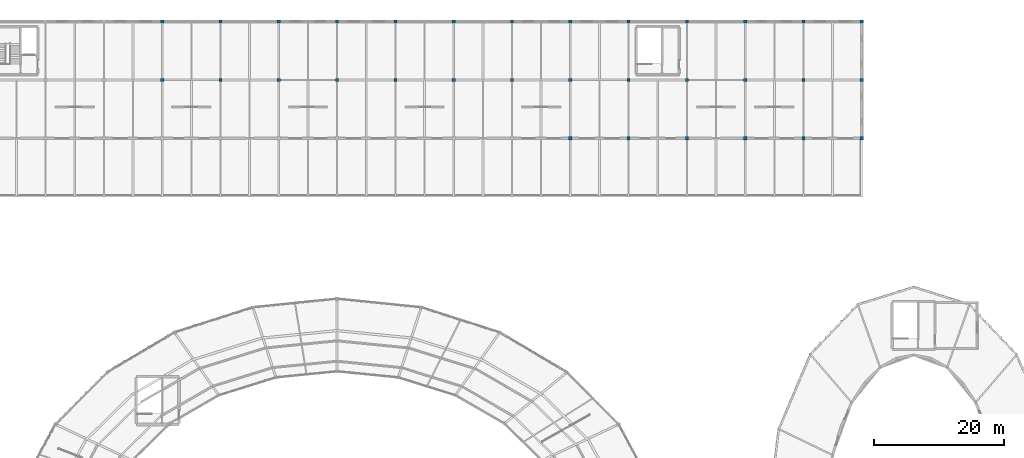
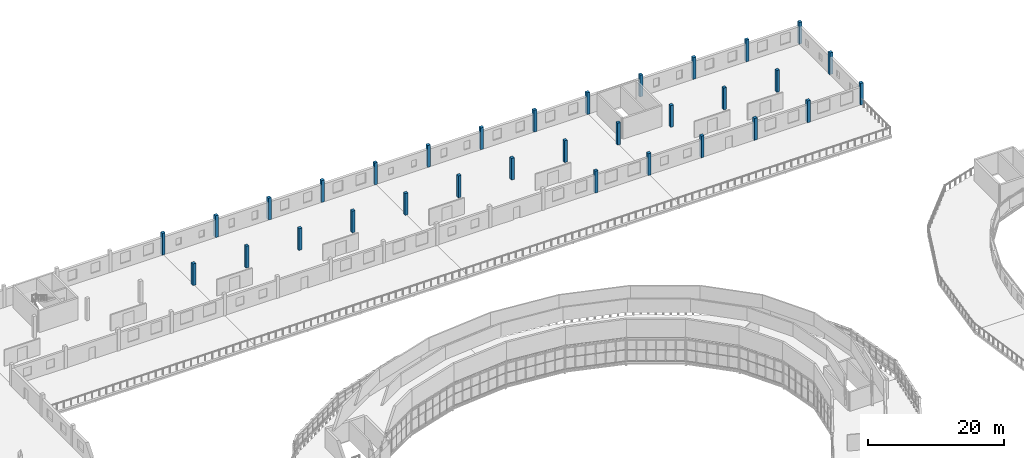
# One storey, part 27 of 123: 32 columns.
"""IFC4 building model written with IfcOpenShell, lengths in metres."""

import ifcopenshell
import ifcopenshell.guid

model = None  # the IFC model being written
_history = None  # IfcOwnerHistory: only IFC2X3 demands one
_inside = {}  # id of a spatial element -> (the spatial element, [elements in it])
_under = {}  # id of a project, library or spatial element -> (it, [spatial elements below it])
_declared = {}  # id of a project -> (the project, [libraries it declares])
_typed = {}  # id of a type object -> (the type object, [elements of that type])
_made_of = {}  # id of a material, layer set ... -> (it, [elements and type objects made of it])


def new_model(schema):
    """Start an empty IFC model of exactly this schema.

    Asked for "IFC4X3", IfcOpenShell would pick the latest addendum, in which some entities
    have other attributes; the version numbers below select the first issue.
    IFC2X3 requires an IfcOwnerHistory on every rooted entity: one is made here for all.
    """
    global model, _history
    if schema == "IFC4X3":
        model = ifcopenshell.file(schema_version=(4, 3, 0, 0))
    else:
        model = ifcopenshell.file(schema=schema)
    _inside.clear()
    _under.clear()
    _declared.clear()
    _typed.clear()
    _made_of.clear()
    _history = None
    if model.schema == "IFC2X3":
        org = make("IfcOrganization", Name="unknown")
        user = make(
            "IfcPersonAndOrganization",
            ThePerson=make("IfcPerson", FamilyName="unknown"),
            TheOrganization=org,
        )
        app = make(
            "IfcApplication",
            ApplicationDeveloper=org,
            Version="unknown",
            ApplicationFullName="unknown",
            ApplicationIdentifier="unknown",
        )
        _history = make(
            "IfcOwnerHistory",
            OwningUser=user,
            OwningApplication=app,
            ChangeAction="ADDED",
            CreationDate=0,
        )
    return model


def make(cls, **values):
    """One entity of the class cls with the attributes given. An attribute that is None is left unset."""
    return model.create_entity(
        cls, **{name: value for name, value in values.items() if value is not None}
    )


def rooted(cls, **values):
    """An entity with a GlobalId (a new one), such as an element, a storey or a relation."""
    return make(cls, GlobalId=ifcopenshell.guid.new(), OwnerHistory=_history, **values)


def si_unit(unit_type, name, prefix=None):
    """IfcSIUnit, for example si_unit("LENGTHUNIT", "METRE", prefix="MILLI")."""
    return make("IfcSIUnit", UnitType=unit_type, Prefix=prefix, Name=name)


def assignment(units):
    """IfcUnitAssignment: the units of a project."""
    return None if units is None else make("IfcUnitAssignment", Units=units)


def point(xyz):
    """IfcCartesianPoint."""
    return None if xyz is None else make("IfcCartesianPoint", Coordinates=xyz)


def direction(xyz):
    """IfcDirection."""
    return None if xyz is None else make("IfcDirection", DirectionRatios=xyz)


def frame(location, z_axis=None, x_axis=None):
    """IfcAxis2Placement3D, a coordinate frame: its origin and axes. An axis left out is left unset."""
    return make(
        "IfcAxis2Placement3D",
        Location=point(location),
        Axis=direction(z_axis),
        RefDirection=direction(x_axis),
    )


def frame_2d(location, x_axis=None):
    """IfcAxis2Placement2D, a coordinate frame in the plane: its origin and x axis."""
    return make(
        "IfcAxis2Placement2D", Location=point(location), RefDirection=direction(x_axis)
    )


def origin():
    """The frame at (0, 0, 0) with its axes left unset."""
    return frame((0.0, 0.0, 0.0))


def origin_2d():
    """The frame at (0, 0) in the plane with its x axis left unset."""
    return frame_2d((0.0, 0.0))


def place(relative_to, where):
    """IfcLocalPlacement: puts the frame where relative to a parent placement (None: the world)."""
    return make(
        "IfcLocalPlacement", PlacementRelTo=relative_to, RelativePlacement=where
    )


def context(
    kind, dimensions, precision=None, world=None, true_north=None, identifier=None
):
    """IfcGeometricRepresentationContext, for example the 3D "Model" context."""
    return make(
        "IfcGeometricRepresentationContext",
        ContextIdentifier=identifier,
        ContextType=kind,
        CoordinateSpaceDimension=dimensions,
        Precision=precision,
        WorldCoordinateSystem=world,
        TrueNorth=true_north,
    )


def subcontext(parent, identifier, kind, view, scale=None):
    """IfcGeometricRepresentationSubContext, for example "Body" below "Model"."""
    return make(
        "IfcGeometricRepresentationSubContext",
        ContextIdentifier=identifier,
        ContextType=kind,
        ParentContext=parent,
        TargetScale=scale,
        TargetView=view,
    )


def project(units=None, contexts=None):
    """IfcProject with its units and contexts."""
    return rooted(
        "IfcProject",
        Name="project",
        RepresentationContexts=contexts,
        UnitsInContext=assignment(units),
    )


def spatial(cls, under=None, at=None, **own):
    """A site, building, storey or space (cls), placed at a placement, below another one or the project."""
    s = rooted(cls, ObjectPlacement=at, **own)
    if under is not None:
        _under.setdefault(under.id(), (under, []))[1].append(s)
    return s


def profile(cls, at=None, kind="AREA", **sizes):
    """A parametric profile (cls). Its sizes go by their IFC names, for example OverallWidth=200.0."""
    return make(cls, ProfileType=kind, Position=at, **sizes)


def rectangle(**sizes):
    """IfcRectangleProfileDef."""
    return profile("IfcRectangleProfileDef", **sizes)


def extrude(swept, where, along, depth):
    """IfcExtrudedAreaSolid: the profile swept, set in the frame where, extruded along a direction by depth."""
    return make(
        "IfcExtrudedAreaSolid",
        SweptArea=swept,
        Position=where,
        ExtrudedDirection=direction(along),
        Depth=depth,
    )


def shape(context_of_items, identifier, shape_type, items):
    """IfcShapeRepresentation: the items that make up one representation, for example the "Body"."""
    return make(
        "IfcShapeRepresentation",
        ContextOfItems=context_of_items,
        RepresentationIdentifier=identifier,
        RepresentationType=shape_type,
        Items=items,
    )


def material(Name=None, Category=None):
    """IfcMaterial."""
    return make("IfcMaterial", Name=Name, Category=Category)


def material_profile(
    of_material, cross_section, Name=None, Category=None, Priority=None
):
    """IfcMaterialProfile: a cross section and its material."""
    return make(
        "IfcMaterialProfile",
        Name=Name,
        Material=of_material,
        Profile=cross_section,
        Priority=Priority,
        Category=Category,
    )


def profile_set(profiles, Name=None, composite=None):
    """IfcMaterialProfileSet."""
    return make(
        "IfcMaterialProfileSet",
        Name=Name,
        MaterialProfiles=profiles,
        CompositeProfile=composite,
    )


def made_of(thing, what):
    """Note that an element or type object is made of a material, layer set ...; save() writes the relation."""
    if what is not None:
        _made_of.setdefault(what.id(), (what, []))[1].append(thing)
    return thing


def type_object(cls, material=None, **own):
    """A type object (cls), such as IfcWallType, which elements share."""
    return made_of(rooted(cls, **own), material)


def element(
    cls,
    number,
    at=None,
    inside=None,
    cuts=None,
    type_object=None,
    material=None,
    context=None,
    identifier="Body",
    shape_type=None,
    held_by="IfcProductDefinitionShape",
    body=None,
    shapes=None,
    **own,
):
    """One element of the class cls, such as IfcWall. Its Tag is "e" and its number.

    at: its placement. inside: the storey or other place that contains it. cuts: it is an
    opening in that element (IfcRelVoidsElement). A single representation is given by context,
    identifier, shape_type and body (its items); several are given by shapes. held_by: the class
    of the entity that holds the representations. save() writes the other relations.
    """
    e = rooted(cls, Tag="e%d" % number, ObjectPlacement=at, **own)
    if body is not None:
        shapes = [shape(context, identifier, shape_type, body)]
    if shapes is not None:
        e.Representation = make(held_by, Representations=shapes)
    if inside is not None:
        _inside.setdefault(inside.id(), (inside, []))[1].append(e)
    if cuts is not None:
        rooted(
            "IfcRelVoidsElement", RelatingBuildingElement=cuts, RelatedOpeningElement=e
        )
    if type_object is not None:
        _typed.setdefault(type_object.id(), (type_object, []))[1].append(e)
    return made_of(e, material)


def aggregate(whole, parts):
    """IfcRelAggregates: a whole, such as a stair, and the parts it consists of."""
    return rooted("IfcRelAggregates", RelatingObject=whole, RelatedObjects=parts)


def save(model, path):
    """Write the relations noted so far, then the file.

    IfcRelAggregates (storeys below a building ...), IfcRelContainedInSpatialStructure (elements
    in a storey), IfcRelDefinesByType, IfcRelAssociatesMaterial and IfcRelDeclares: one each for
    every whole, place, type object, material and project.
    """
    for whole, parts in _under.values():
        aggregate(whole, parts)
    for where, things in _inside.values():
        rooted(
            "IfcRelContainedInSpatialStructure",
            RelatedElements=things,
            RelatingStructure=where,
        )
    for kind, things in _typed.values():
        rooted("IfcRelDefinesByType", RelatedObjects=things, RelatingType=kind)
    for what, things in _made_of.values():
        rooted("IfcRelAssociatesMaterial", RelatedObjects=things, RelatingMaterial=what)
    for by, libraries in _declared.values():
        rooted("IfcRelDeclares", RelatingContext=by, RelatedDefinitions=libraries)
    model.write(path)


model = new_model("IFC4")

# Units and contexts
model_context = context("Model", 3, precision=1e-05, world=origin(), true_north=direction((0.0, 1.0)))
body_context = subcontext(model_context, "Body", "Model", "MODEL_VIEW")
ifc_project = project(units=[si_unit("LENGTHUNIT", "METRE"), si_unit("AREAUNIT", "SQUARE_METRE"), si_unit("VOLUMEUNIT", "CUBIC_METRE"), si_unit("PLANEANGLEUNIT", "RADIAN"), si_unit("MASSUNIT", "GRAM", prefix="KILO")], contexts=[model_context])

# Site, building, storey
site_placement = place(None, origin())
site = spatial("IfcSite", under=ifc_project, at=site_placement, CompositionType="ELEMENT")
building_placement = place(site_placement, origin())
building = spatial("IfcBuilding", under=site, at=building_placement, Name="Kildeholm Park Wholesale Market", CompositionType="ELEMENT")
storey_placement = place(building_placement, frame((0.0, 0.0, 9.60009765625)))
storey = spatial("IfcBuildingStorey", under=building, at=storey_placement, Name="L02", CompositionType="ELEMENT", Elevation=9.60009765625)

# Columns
ifc_material = material(Name="Concrete C40/50", Category="concrete")
ifc_material_profile = material_profile(ifc_material, rectangle(XDim=0.5, YDim=0.5, at=origin_2d()), Name="RC 500x500")
ifc_profile_set = profile_set([ifc_material_profile], Name="Concrete C40/50")
column_type = type_object("IfcColumnType", Name="Column C-R01 RC 500x500", PredefinedType="COLUMN", material=ifc_profile_set)
for number, where, z_axis, x_axis, name in (
    (1, (72.0, 162.0, 0.0), (0.0, 0.0, 1.0), (1.0, 0.0, 0.0), "Column V4-072-162 L02 COL-0504"),
    (2, (72.0, 171.0, 0.0), (0.0, 0.0, 1.0), (1.0, 0.0, 0.0), "Column V4-072-171 L02 COL-0507"),
    (3, (81.0, 162.0, 0.0), (0.0, 0.0, 1.0), (1.0, 0.0, 0.0), "Column V4-081-162 L02 COL-0515"),
    (4, (81.0, 171.0, 0.0), (0.0, 0.0, 1.0), (1.0, 0.0, 0.0), "Column V4-081-171 L02 COL-0518"),
    (5, (90.0, 162.0, 0.0), (0.0, 0.0, 1.0), (1.0, 0.0, 0.0), "Column V4-090-162 L02 COL-0526"),
    (6, (90.0, 171.0, 0.0), (0.0, 0.0, 1.0), (1.0, 0.0, 0.0), "Column V4-090-171 L02 COL-0529"),
    (7, (99.0, 162.0, 0.0), (0.0, 0.0, 1.0), (1.0, 0.0, 0.0), "Column V4-099-162 L02 COL-0537"),
    (8, (99.0, 171.0, 0.0), (0.0, 0.0, 1.0), (1.0, 0.0, 0.0), "Column V4-099-171 L02 COL-0540"),
    (9, (108.0, 162.0, 0.0), (0.0, 0.0, 1.0), (1.0, 0.0, 0.0), "Column V4-108-162 L02 COL-0548"),
    (10, (108.0, 171.0, 0.0), (0.0, 0.0, 1.0), (1.0, 0.0, 0.0), "Column V4-108-171 L02 COL-0551"),
    (11, (117.0, 162.0, 0.0), (0.0, 0.0, 1.0), (1.0, 0.0, 0.0), "Column V4-117-162 L02 COL-0559"),
    (12, (117.0, 171.0, 0.0), (0.0, 0.0, 1.0), (1.0, 0.0, 0.0), "Column V4-117-171 L02 COL-0562"),
    (13, (126.0, 162.0, 0.0), (0.0, 0.0, 1.0), (1.0, 0.0, 0.0), "Column V4-126-162 L02 COL-0570"),
    (14, (126.0, 171.0, 0.0), (0.0, 0.0, 1.0), (1.0, 0.0, 0.0), "Column V4-126-171 L02 COL-0573"),
    (15, (135.0, 153.0, 0.0), (0.0, 0.0, 1.0), (1.0, 0.0, 0.0), "Column V4-135-153 L02 COL-0578"),
    (16, (135.0, 162.0, 0.0), (0.0, 0.0, 1.0), (1.0, 0.0, 0.0), "Column V4-135-162 L02 COL-0581"),
    (17, (135.0, 171.0, 0.0), (0.0, 0.0, 1.0), (1.0, 0.0, 0.0), "Column V4-135-171 L02 COL-0584"),
    (18, (144.0, 153.0, 0.0), (0.0, 0.0, 1.0), (1.0, 0.0, 0.0), "Column V4-144-153 L02 COL-0589"),
    (19, (144.0, 162.0, 0.0), (0.0, 0.0, 1.0), (1.0, 0.0, 0.0), "Column V4-144-162 L02 COL-0592"),
    (20, (144.0, 171.0, 0.0), (0.0, 0.0, 1.0), (1.0, 0.0, 0.0), "Column V4-144-171 L02 COL-0595"),
    (21, (153.0, 153.0, 0.0), (0.0, 0.0, 1.0), (1.0, 0.0, 0.0), "Column V4-153-153 L02 COL-0600"),
    (22, (153.0, 162.0, 0.0), (0.0, 0.0, 1.0), (1.0, 0.0, 0.0), "Column V4-153-162 L02 COL-0603"),
    (23, (153.0, 171.0, 0.0), (0.0, 0.0, 1.0), (1.0, 0.0, 0.0), "Column V4-153-171 L02 COL-0606"),
    (24, (162.0, 153.0, 0.0), (0.0, 0.0, 1.0), (1.0, 0.0, 0.0), "Column V4-162-153 L02 COL-0611"),
    (25, (162.0, 162.0, 0.0), (0.0, 0.0, 1.0), (1.0, 0.0, 0.0), "Column V4-162-162 L02 COL-0614"),
    (26, (162.0, 171.0, 0.0), (0.0, 0.0, 1.0), (1.0, 0.0, 0.0), "Column V4-162-171 L02 COL-0617"),
    (27, (171.0, 153.0, 0.0), (0.0, 0.0, 1.0), (1.0, 0.0, 0.0), "Column V4-171-153 L02 COL-0622"),
    (28, (171.0, 162.0, 0.0), (0.0, 0.0, 1.0), (1.0, 0.0, 0.0), "Column V4-171-162 L02 COL-0625"),
    (29, (171.0, 171.0, 0.0), (0.0, 0.0, 1.0), (1.0, 0.0, 0.0), "Column V4-171-171 L02 COL-0628"),
    (30, (180.0, 153.0, 0.0), (0.0, 0.0, 1.0), (1.0, 0.0, 0.0), "Column V4-180-153 L02 COL-0633"),
    (31, (180.0, 162.0, 0.0), (0.0, 0.0, 1.0), (1.0, 0.0, 0.0), "Column V4-180-162 L02 COL-0636"),
    (32, (180.0, 171.0, 0.0), (0.0, 0.0, 1.0), (1.0, 0.0, 0.0), "Column V4-180-171 L02 COL-0639"),
):
    element("IfcColumn", number, at=place(storey_placement, frame(where, z_axis=z_axis, x_axis=x_axis)), inside=storey, type_object=column_type, Name=name, PredefinedType="COLUMN", context=body_context, shape_type="SweptSolid", body=[
        extrude(rectangle(XDim=0.5, YDim=0.5, at=origin_2d()), origin(), (0.0, 0.0, 1.0), 3.89990234375),
    ])

save(model, "model.ifc")
